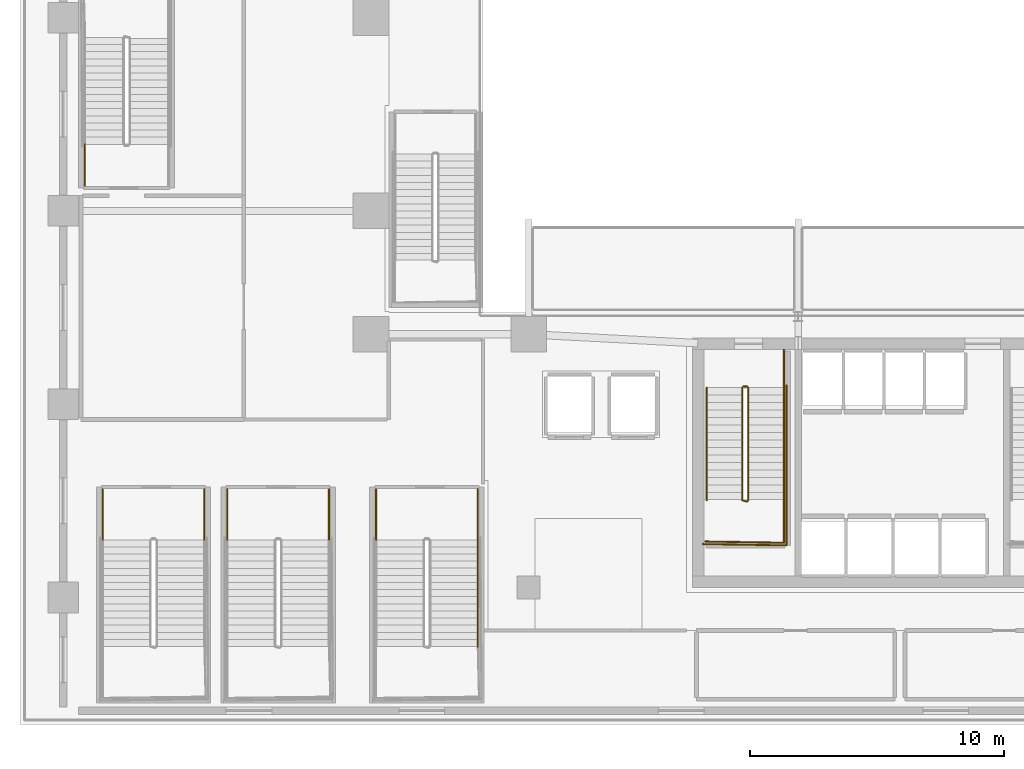
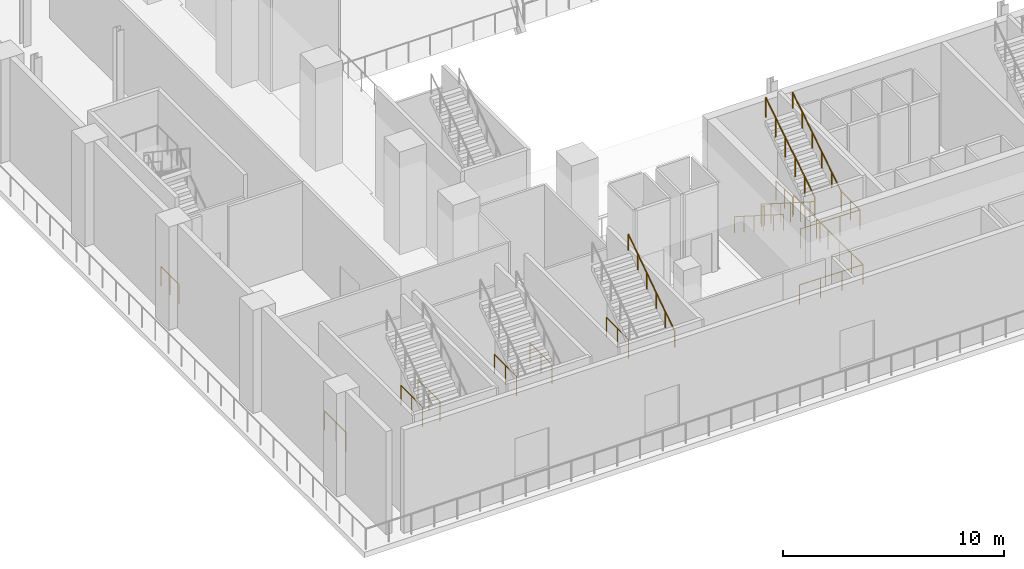
# One storey, part 15 of 30: 16 railings.
"""IFC4 building model written with IfcOpenShell, lengths in metres."""

from ifc_helpers import new_model, si_unit, direction, frame, origin, origin_2d, place, context, subcontext, project, spatial, circle, extrude, material, layer, layer_set, type_object, element, save


model = new_model("IFC4")

# Units and contexts
model_context = context("Model", 3, precision=1e-05, world=origin(), true_north=direction((0.0, 1.0)))
body_context = subcontext(model_context, "Body", "Model", "MODEL_VIEW")
ifc_project = project(units=[si_unit("LENGTHUNIT", "METRE"), si_unit("AREAUNIT", "SQUARE_METRE"), si_unit("VOLUMEUNIT", "CUBIC_METRE"), si_unit("PLANEANGLEUNIT", "RADIAN"), si_unit("MASSUNIT", "GRAM", prefix="KILO")], contexts=[model_context])

# Site, building, storey
site_placement = place(None, origin())
site = spatial("IfcSite", under=ifc_project, at=site_placement, CompositionType="ELEMENT")
building_placement = place(site_placement, origin())
building = spatial("IfcBuilding", under=site, at=building_placement, Name="Ndaravel Arena Tower", CompositionType="ELEMENT")
storey_placement = place(building_placement, frame((0.0, 0.0, 6.0)))
storey = spatial("IfcBuildingStorey", under=building, at=storey_placement, Name="L01", CompositionType="ELEMENT", Elevation=6.0)

# Railings
ifc_material_1 = material(Name="Steel S355", Category="steel")
ifc_layer_1 = layer(ifc_material_1, 0.06005859375)
ifc_layer_set_1 = layer_set([ifc_layer_1], Name="Steel S355")
railing_type_1 = type_object("IfcRailingType", Name="RAIL-STAIR-GD1100", PredefinedType="GUARDRAIL", material=ifc_layer_set_1)
railing_1_placement = place(storey_placement, frame((28.39990234375, 13.25, 0.1875)))
element("IfcRailing", 1, at=railing_1_placement, inside=storey, type_object=railing_type_1, Name="L01 ST-1 stair guard 1", PredefinedType="GUARDRAIL", context=body_context, shape_type="SweptSolid", body=[
    extrude(circle(Radius=0.02392578125, at=origin_2d()), frame((0.0, 0.0, 1.076171875), z_axis=(0.0, -0.843958541447, 0.536408408136), x_axis=(1.0, 0.0, 0.0)), (0.0, 0.0, 1.0), 5.2431640625),
    extrude(circle(Radius=0.02392578125, at=origin_2d()), frame((0.0, -4.425048828125, 3.888671875), z_axis=(0.967074537263, -0.25449329928, 0.0), x_axis=(0.25449329928, 0.967074537263, 0.0)), (0.0, 0.0, 1.0), 0.19677734375),
    extrude(circle(Radius=0.02099609375, at=origin_2d()), origin(), (0.0, 0.0, 1.0), 1.052001953125),
    extrude(circle(Radius=0.02099609375, at=origin_2d()), frame((0.0, -0.885009765625, 0.5625)), (0.0, 0.0, 1.0), 1.052001953125),
    extrude(circle(Radius=0.02099609375, at=origin_2d()), frame((0.0, -1.77001953125, 1.125)), (0.0, 0.0, 1.0), 1.052001953125),
    extrude(circle(Radius=0.02099609375, at=origin_2d()), frame((0.0, -2.655029296875, 1.6875)), (0.0, 0.0, 1.0), 1.052001953125),
    extrude(circle(Radius=0.02099609375, at=origin_2d()), frame((0.0, -3.5400390625, 2.25)), (0.0, 0.0, 1.0), 1.052001953125),
    extrude(circle(Radius=0.02099609375, at=origin_2d()), frame((0.0, -4.425048828125, 2.8125)), (0.0, 0.0, 1.0), 1.052001953125),
    extrude(circle(Radius=0.02099609375, at=origin_2d()), frame((0.190185546875, -4.47509765625, 2.8125)), (0.0, 0.0, 1.0), 1.052001953125),
])
railing_2_placement = place(storey_placement, frame((30.0400390625, 8.824951171875, 3.0)))
element("IfcRailing", 2, at=railing_2_placement, inside=storey, type_object=railing_type_1, Name="L01 ST-1 stair guard 2", PredefinedType="GUARDRAIL", context=body_context, shape_type="SweptSolid", body=[
    extrude(circle(Radius=0.02392578125, at=origin_2d()), frame((0.0, 0.0, 1.076171875), z_axis=(0.0, -1.0, 0.0), x_axis=(1.0, 0.0, 0.0)), (0.0, 0.0, 1.0), 1.675048828125),
    extrude(circle(Radius=0.02392578125, at=origin_2d()), frame((0.0, -1.675048828125, 1.076171875), z_axis=(-0.999868861343, 0.016194447071, 0.0), x_axis=(-0.016194447071, -0.999868861343, 0.0)), (0.0, 0.0, 1.0), 3.090576171875),
    extrude(circle(Radius=0.02099609375, at=origin_2d()), origin(), (0.0, 0.0, 1.0), 1.052001953125),
    extrude(circle(Radius=0.02099609375, at=origin_2d()), frame((0.0, -0.83740234375, 0.0)), (0.0, 0.0, 1.0), 1.052001953125),
    extrude(circle(Radius=0.02099609375, at=origin_2d()), frame((0.0, -1.675048828125, 0.0)), (0.0, 0.0, 1.0), 1.052001953125),
    extrude(circle(Radius=0.02099609375, at=origin_2d()), frame((-1.030029296875, -1.658447265625, 0.0)), (0.0, 0.0, 1.0), 1.052001953125),
    extrude(circle(Radius=0.02099609375, at=origin_2d()), frame((-2.06005859375, -1.6416015625, 0.0)), (0.0, 0.0, 1.0), 1.052001953125),
    extrude(circle(Radius=0.02099609375, at=origin_2d()), frame((-3.090087890625, -1.625, 0.0)), (0.0, 0.0, 1.0), 1.052001953125),
])
railing_3_placement = place(storey_placement, frame((28.639892578125, 8.824951171875, 3.1875)))
element("IfcRailing", 3, at=railing_3_placement, inside=storey, type_object=railing_type_1, Name="L01 ST-1 stair guard 3", PredefinedType="GUARDRAIL", context=body_context, shape_type="SweptSolid", body=[
    extrude(circle(Radius=0.02392578125, at=origin_2d()), frame((0.0, 0.0, 1.076171875), z_axis=(0.0, 0.843958541447, 0.536408408136), x_axis=(-1.0, 0.0, 0.0)), (0.0, 0.0, 1.0), 5.2431640625),
    extrude(circle(Radius=0.02099609375, at=origin_2d()), origin(), (0.0, 0.0, 1.0), 1.052001953125),
    extrude(circle(Radius=0.02099609375, at=origin_2d()), frame((0.0, 0.885009765625, 0.5625)), (0.0, 0.0, 1.0), 1.052001953125),
    extrude(circle(Radius=0.02099609375, at=origin_2d()), frame((0.0, 1.77001953125, 1.125)), (0.0, 0.0, 1.0), 1.052001953125),
    extrude(circle(Radius=0.02099609375, at=origin_2d()), frame((0.0, 2.655029296875, 1.6875)), (0.0, 0.0, 1.0), 1.052001953125),
    extrude(circle(Radius=0.02099609375, at=origin_2d()), frame((0.0, 3.5400390625, 2.25)), (0.0, 0.0, 1.0), 1.052001953125),
    extrude(circle(Radius=0.02099609375, at=origin_2d()), frame((0.0, 4.425048828125, 2.8125)), (0.0, 0.0, 1.0), 1.052001953125),
])
railing_4_placement = place(storey_placement, frame((28.449951171875, 13.300048828125, 0.0)))
element("IfcRailing", 4, at=railing_4_placement, inside=storey, type_object=railing_type_1, Name="L01 ST-1 stair guard 4", PredefinedType="GUARDRAIL", context=body_context, shape_type="SweptSolid", body=[
    extrude(circle(Radius=0.02392578125, at=origin_2d()), frame((0.0, 0.0, 1.076171875), z_axis=(1.0, 0.0, 0.0), x_axis=(0.0, 1.0, 0.0)), (0.0, 0.0, 1.0), 0.14013671875),
    extrude(circle(Radius=0.02099609375, at=origin_2d()), origin(), (0.0, 0.0, 1.0), 1.052001953125),
    extrude(circle(Radius=0.02099609375, at=origin_2d()), frame((0.14013671875, 0.0, 0.0)), (0.0, 0.0, 1.0), 1.052001953125),
])
railing_5_placement = place(storey_placement, frame((30.0400390625, 14.75, 0.0)))
element("IfcRailing", 5, at=railing_5_placement, inside=storey, type_object=railing_type_1, Name="L01 ST-1 stair guard 5", PredefinedType="GUARDRAIL", context=body_context, shape_type="SweptSolid", body=[
    extrude(circle(Radius=0.02392578125, at=origin_2d()), frame((0.0, 0.0, 1.076171875), z_axis=(0.0, -1.0, 0.0), x_axis=(1.0, 0.0, 0.0)), (0.0, 0.0, 1.0), 1.5),
    extrude(circle(Radius=0.02099609375, at=origin_2d()), origin(), (0.0, 0.0, 1.0), 1.052001953125),
    extrude(circle(Radius=0.02099609375, at=origin_2d()), frame((0.0, -0.75, 0.0)), (0.0, 0.0, 1.0), 1.052001953125),
    extrude(circle(Radius=0.02099609375, at=origin_2d()), frame((0.0, -1.5, 0.0)), (0.0, 0.0, 1.0), 1.052001953125),
])
railing_6_placement = place(storey_placement, frame((30.139892578125, 13.35009765625, 0.0)))
element("IfcRailing", 6, at=railing_6_placement, inside=storey, type_object=railing_type_1, Name="L01 ST-1 stair guard 6", PredefinedType="GUARDRAIL", context=body_context, shape_type="SweptSolid", body=[
    extrude(circle(Radius=0.02392578125, at=origin_2d()), frame((0.0, 0.0, 1.076171875), z_axis=(0.0, -1.0, 0.0), x_axis=(1.0, 0.0, 0.0)), (0.0, 0.0, 1.0), 6.300048828125),
    extrude(circle(Radius=0.02392578125, at=origin_2d()), frame((0.0, -6.300048828125, 1.076171875), z_axis=(-0.999884296952, 0.015211597839, 0.0), x_axis=(-0.015211597839, -0.999884296952, 0.0)), (0.0, 0.0, 1.0), 3.290283203125),
    extrude(circle(Radius=0.02099609375, at=origin_2d()), origin(), (0.0, 0.0, 1.0), 1.052001953125),
    extrude(circle(Radius=0.02099609375, at=origin_2d()), frame((0.0, -1.050048828125, 0.0)), (0.0, 0.0, 1.0), 1.052001953125),
    extrude(circle(Radius=0.02099609375, at=origin_2d()), frame((0.0, -2.10009765625, 0.0)), (0.0, 0.0, 1.0), 1.052001953125),
    extrude(circle(Radius=0.02099609375, at=origin_2d()), frame((0.0, -3.14990234375, 0.0)), (0.0, 0.0, 1.0), 1.052001953125),
    extrude(circle(Radius=0.02099609375, at=origin_2d()), frame((0.0, -4.199951171875, 0.0)), (0.0, 0.0, 1.0), 1.052001953125),
    extrude(circle(Radius=0.02099609375, at=origin_2d()), frame((0.0, -5.25, 0.0)), (0.0, 0.0, 1.0), 1.052001953125),
    extrude(circle(Radius=0.02099609375, at=origin_2d()), frame((0.0, -6.300048828125, 0.0)), (0.0, 0.0, 1.0), 1.052001953125),
    extrude(circle(Radius=0.02099609375, at=origin_2d()), frame((-1.0966796875, -6.283447265625, 0.0)), (0.0, 0.0, 1.0), 1.052001953125),
    extrude(circle(Radius=0.02099609375, at=origin_2d()), frame((-2.193115234375, -6.2666015625, 0.0)), (0.0, 0.0, 1.0), 1.052001953125),
    extrude(circle(Radius=0.02099609375, at=origin_2d()), frame((-3.289794921875, -6.25, 0.0)), (0.0, 0.0, 1.0), 1.052001953125),
])
for number, where, name in (
    (7, (3.25, 9.25, 0.0), "L01 ST-A01 stair guard 5"),
    (8, (7.25, 9.25, 0.0), "L01 ST-A01 stair guard 6"),
    (9, (8.14990234375, 9.25, 0.0), "L01 ST-A02 stair guard 5"),
    (10, (12.14990234375, 9.25, 0.0), "L01 ST-A02 stair guard 6"),
    (11, (14.0, 9.25, 0.0), "L01 ST-A03 stair guard 5"),
    (12, (18.0, 9.25, 0.0), "L01 ST-A03 stair guard 6"),
):
    element("IfcRailing", number, at=place(storey_placement, frame(where)), inside=storey, type_object=railing_type_1, Name=name, PredefinedType="GUARDRAIL", context=body_context, shape_type="SweptSolid", body=[
        extrude(circle(Radius=0.02392578125, at=origin_2d()), frame((0.0, 0.0, 1.076171875), z_axis=(0.0, -1.0, 0.0), x_axis=(1.0, 0.0, 0.0)), (0.0, 0.0, 1.0), 1.97998046875),
        extrude(circle(Radius=0.02099609375, at=origin_2d()), origin(), (0.0, 0.0, 1.0), 1.052001953125),
        extrude(circle(Radius=0.02099609375, at=origin_2d()), frame((0.0, -0.989990234375, 0.0)), (0.0, 0.0, 1.0), 1.052001953125),
        extrude(circle(Radius=0.02099609375, at=origin_2d()), frame((0.0, -1.97998046875, 0.0)), (0.0, 0.0, 1.0), 1.052001953125),
    ])
railing_7_placement = place(storey_placement, frame((2.550048828125, 21.199951171875, 0.0)))
element("IfcRailing", 13, at=railing_7_placement, inside=storey, type_object=railing_type_1, Name="L01 ST-A07 stair guard 6", PredefinedType="GUARDRAIL", context=body_context, shape_type="SweptSolid", body=[
    extrude(circle(Radius=0.02392578125, at=origin_2d()), frame((0.0, 0.0, 1.076171875), z_axis=(0.0, 1.0, 0.0), x_axis=(-1.0, 0.0, 0.0)), (0.0, 0.0, 1.0), 1.6201171875),
    extrude(circle(Radius=0.02099609375, at=origin_2d()), origin(), (0.0, 0.0, 1.0), 1.052001953125),
    extrude(circle(Radius=0.02099609375, at=origin_2d()), frame((0.0, 0.81005859375, 0.0)), (0.0, 0.0, 1.0), 1.052001953125),
    extrude(circle(Radius=0.02099609375, at=origin_2d()), frame((0.0, 1.6201171875, 0.0)), (0.0, 0.0, 1.0), 1.052001953125),
])
ifc_material_2 = material(Name="Steel S355", Category="steel")
ifc_layer_2 = layer(ifc_material_2, 0.050048828125)
ifc_layer_set_2 = layer_set([ifc_layer_2], Name="Steel S355")
railing_type_2 = type_object("IfcRailingType", Name="RAIL-STAIR-HR920", PredefinedType="HANDRAIL", material=ifc_layer_set_2)
railing_8_placement = place(storey_placement, frame((27.0, 13.25, 0.1875)))
element("IfcRailing", 14, at=railing_8_placement, inside=storey, type_object=railing_type_2, Name="L01 ST-1 stair handrail 1", PredefinedType="HANDRAIL", context=body_context, shape_type="SweptSolid", body=[
    extrude(circle(Radius=0.02392578125, at=origin_2d()), frame((0.0, 0.0, 0.8759765625), z_axis=(0.0, -0.843958541447, 0.536408408136), x_axis=(1.0, 0.0, 0.0)), (0.0, 0.0, 1.0), 5.2431640625),
    extrude(circle(Radius=0.02099609375, at=origin_2d()), origin(), (0.0, 0.0, 1.0), 0.851806640625),
    extrude(circle(Radius=0.02099609375, at=origin_2d()), frame((0.0, -0.885009765625, 0.5625)), (0.0, 0.0, 1.0), 0.851806640625),
    extrude(circle(Radius=0.02099609375, at=origin_2d()), frame((0.0, -1.77001953125, 1.125)), (0.0, 0.0, 1.0), 0.851806640625),
    extrude(circle(Radius=0.02099609375, at=origin_2d()), frame((0.0, -2.655029296875, 1.6875)), (0.0, 0.0, 1.0), 0.851806640625),
    extrude(circle(Radius=0.02099609375, at=origin_2d()), frame((0.0, -3.5400390625, 2.25)), (0.0, 0.0, 1.0), 0.851806640625),
    extrude(circle(Radius=0.02099609375, at=origin_2d()), frame((0.0, -4.425048828125, 2.8125)), (0.0, 0.0, 1.0), 0.851806640625),
])
railing_9_placement = place(storey_placement, frame((30.0400390625, 8.824951171875, 3.1875)))
element("IfcRailing", 15, at=railing_9_placement, inside=storey, type_object=railing_type_2, Name="L01 ST-1 stair handrail 2", PredefinedType="HANDRAIL", context=body_context, shape_type="SweptSolid", body=[
    extrude(circle(Radius=0.02392578125, at=origin_2d()), frame((0.0, 0.0, 0.8759765625), z_axis=(0.0, 0.843958541447, 0.536408408136), x_axis=(-1.0, 0.0, 0.0)), (0.0, 0.0, 1.0), 5.2431640625),
    extrude(circle(Radius=0.02099609375, at=origin_2d()), origin(), (0.0, 0.0, 1.0), 0.851806640625),
    extrude(circle(Radius=0.02099609375, at=origin_2d()), frame((0.0, 0.885009765625, 0.5625)), (0.0, 0.0, 1.0), 0.851806640625),
    extrude(circle(Radius=0.02099609375, at=origin_2d()), frame((0.0, 1.77001953125, 1.125)), (0.0, 0.0, 1.0), 0.851806640625),
    extrude(circle(Radius=0.02099609375, at=origin_2d()), frame((0.0, 2.655029296875, 1.6875)), (0.0, 0.0, 1.0), 0.851806640625),
    extrude(circle(Radius=0.02099609375, at=origin_2d()), frame((0.0, 3.5400390625, 2.25)), (0.0, 0.0, 1.0), 0.851806640625),
    extrude(circle(Radius=0.02099609375, at=origin_2d()), frame((0.0, 4.425048828125, 2.8125)), (0.0, 0.0, 1.0), 0.851806640625),
])
railing_10_placement = place(storey_placement, frame((18.0, 3.070068359375, 3.1875)))
element("IfcRailing", 16, at=railing_10_placement, inside=storey, type_object=railing_type_2, Name="L01 ST-A03 stair handrail 2", PredefinedType="HANDRAIL", context=body_context, shape_type="SweptSolid", body=[
    extrude(circle(Radius=0.02392578125, at=origin_2d()), frame((0.0, 0.0, 0.8759765625), z_axis=(0.0, 0.830904186295, 0.556415522067), x_axis=(-1.0, 0.0, 0.0)), (0.0, 0.0, 1.0), 5.0546875),
    extrude(circle(Radius=0.02099609375, at=origin_2d()), origin(), (0.0, 0.0, 1.0), 0.851806640625),
    extrude(circle(Radius=0.02099609375, at=origin_2d()), frame((0.0, 0.840087890625, 0.5625)), (0.0, 0.0, 1.0), 0.851806640625),
    extrude(circle(Radius=0.02099609375, at=origin_2d()), frame((0.0, 1.679931640625, 1.125)), (0.0, 0.0, 1.0), 0.851806640625),
    extrude(circle(Radius=0.02099609375, at=origin_2d()), frame((0.0, 2.52001953125, 1.6875)), (0.0, 0.0, 1.0), 0.851806640625),
    extrude(circle(Radius=0.02099609375, at=origin_2d()), frame((0.0, 3.35986328125, 2.25)), (0.0, 0.0, 1.0), 0.851806640625),
    extrude(circle(Radius=0.02099609375, at=origin_2d()), frame((0.0, 4.199951171875, 2.8125)), (0.0, 0.0, 1.0), 0.851806640625),
])

save(model, "model.ifc")
